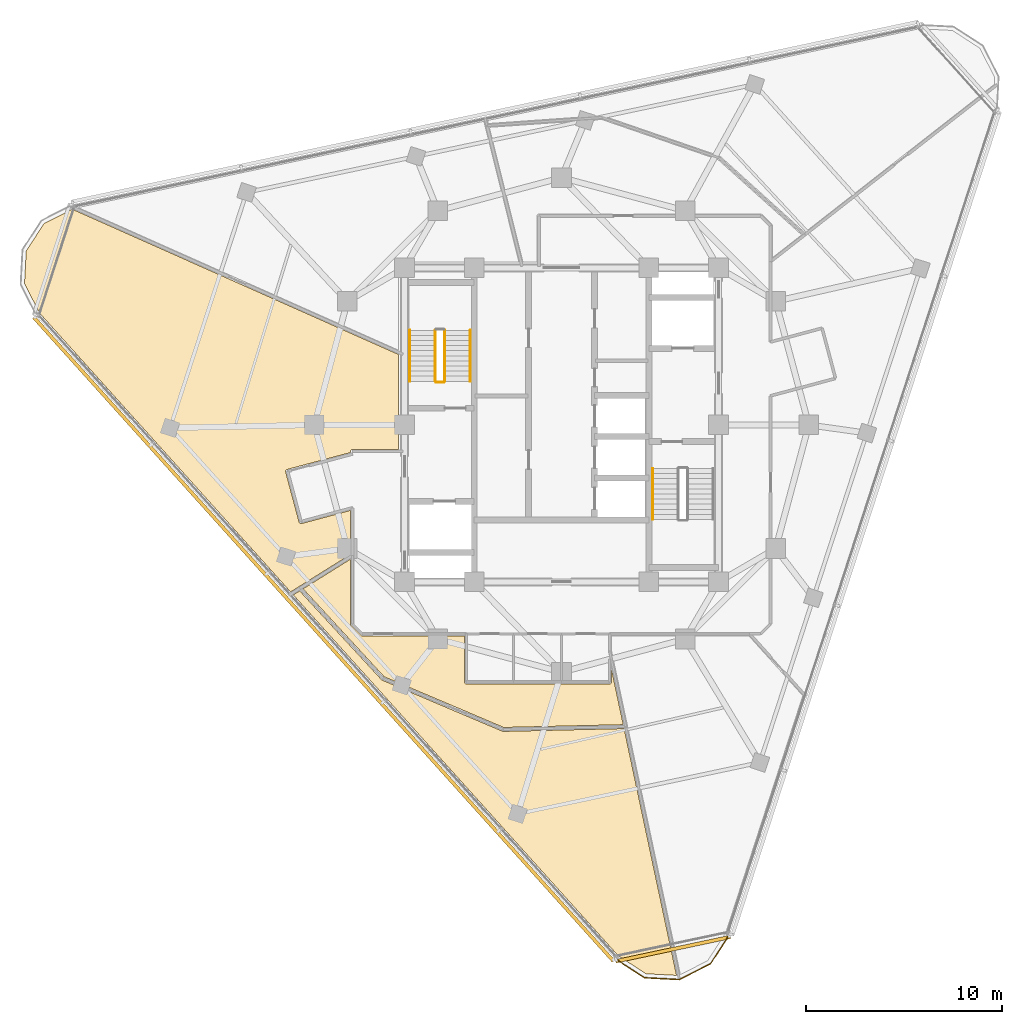
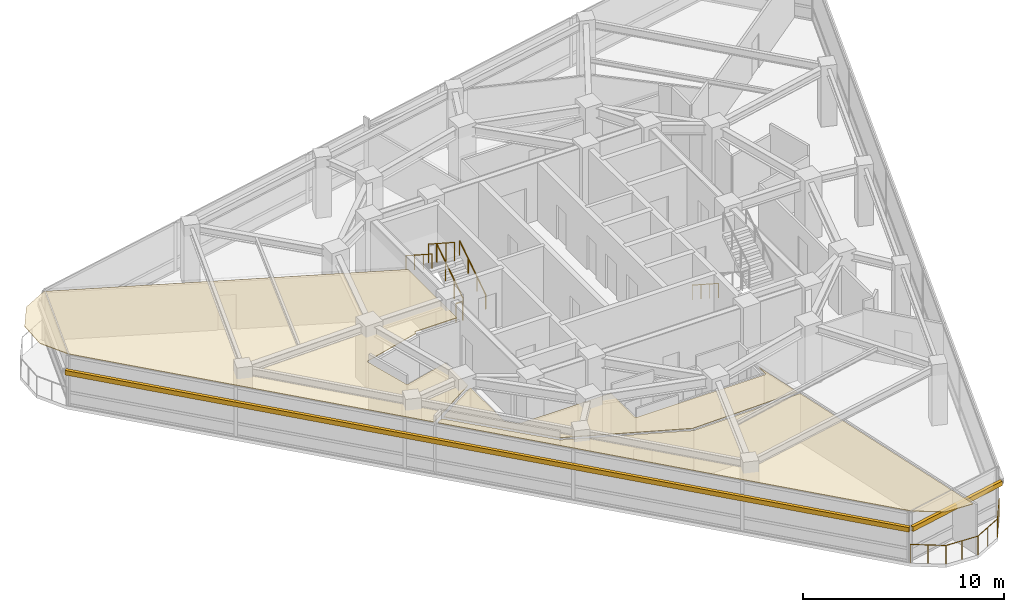
# One storey, part 12 of 15: 7 railings, 3 coverings, 2 shading devices.
"""IFC4 building model written with IfcOpenShell, lengths in metres."""

import ifcopenshell
import ifcopenshell.guid

model = None  # the IFC model being written
_history = None  # IfcOwnerHistory: only IFC2X3 demands one
_inside = {}  # id of a spatial element -> (the spatial element, [elements in it])
_under = {}  # id of a project, library or spatial element -> (it, [spatial elements below it])
_declared = {}  # id of a project -> (the project, [libraries it declares])
_typed = {}  # id of a type object -> (the type object, [elements of that type])
_made_of = {}  # id of a material, layer set ... -> (it, [elements and type objects made of it])


def new_model(schema):
    """Start an empty IFC model of exactly this schema.

    Asked for "IFC4X3", IfcOpenShell would pick the latest addendum, in which some entities
    have other attributes; the version numbers below select the first issue.
    IFC2X3 requires an IfcOwnerHistory on every rooted entity: one is made here for all.
    """
    global model, _history
    if schema == "IFC4X3":
        model = ifcopenshell.file(schema_version=(4, 3, 0, 0))
    else:
        model = ifcopenshell.file(schema=schema)
    _inside.clear()
    _under.clear()
    _declared.clear()
    _typed.clear()
    _made_of.clear()
    _history = None
    if model.schema == "IFC2X3":
        org = make("IfcOrganization", Name="unknown")
        user = make(
            "IfcPersonAndOrganization",
            ThePerson=make("IfcPerson", FamilyName="unknown"),
            TheOrganization=org,
        )
        app = make(
            "IfcApplication",
            ApplicationDeveloper=org,
            Version="unknown",
            ApplicationFullName="unknown",
            ApplicationIdentifier="unknown",
        )
        _history = make(
            "IfcOwnerHistory",
            OwningUser=user,
            OwningApplication=app,
            ChangeAction="ADDED",
            CreationDate=0,
        )
    return model


def make(cls, **values):
    """One entity of the class cls with the attributes given. An attribute that is None is left unset."""
    return model.create_entity(
        cls, **{name: value for name, value in values.items() if value is not None}
    )


def rooted(cls, **values):
    """An entity with a GlobalId (a new one), such as an element, a storey or a relation."""
    return make(cls, GlobalId=ifcopenshell.guid.new(), OwnerHistory=_history, **values)


def si_unit(unit_type, name, prefix=None):
    """IfcSIUnit, for example si_unit("LENGTHUNIT", "METRE", prefix="MILLI")."""
    return make("IfcSIUnit", UnitType=unit_type, Prefix=prefix, Name=name)


def assignment(units):
    """IfcUnitAssignment: the units of a project."""
    return None if units is None else make("IfcUnitAssignment", Units=units)


def point(xyz):
    """IfcCartesianPoint."""
    return None if xyz is None else make("IfcCartesianPoint", Coordinates=xyz)


def direction(xyz):
    """IfcDirection."""
    return None if xyz is None else make("IfcDirection", DirectionRatios=xyz)


def frame(location, z_axis=None, x_axis=None):
    """IfcAxis2Placement3D, a coordinate frame: its origin and axes. An axis left out is left unset."""
    return make(
        "IfcAxis2Placement3D",
        Location=point(location),
        Axis=direction(z_axis),
        RefDirection=direction(x_axis),
    )


def frame_2d(location, x_axis=None):
    """IfcAxis2Placement2D, a coordinate frame in the plane: its origin and x axis."""
    return make(
        "IfcAxis2Placement2D", Location=point(location), RefDirection=direction(x_axis)
    )


def origin():
    """The frame at (0, 0, 0) with its axes left unset."""
    return frame((0.0, 0.0, 0.0))


def origin_2d():
    """The frame at (0, 0) in the plane with its x axis left unset."""
    return frame_2d((0.0, 0.0))


def place(relative_to, where):
    """IfcLocalPlacement: puts the frame where relative to a parent placement (None: the world)."""
    return make(
        "IfcLocalPlacement", PlacementRelTo=relative_to, RelativePlacement=where
    )


def context(
    kind, dimensions, precision=None, world=None, true_north=None, identifier=None
):
    """IfcGeometricRepresentationContext, for example the 3D "Model" context."""
    return make(
        "IfcGeometricRepresentationContext",
        ContextIdentifier=identifier,
        ContextType=kind,
        CoordinateSpaceDimension=dimensions,
        Precision=precision,
        WorldCoordinateSystem=world,
        TrueNorth=true_north,
    )


def subcontext(parent, identifier, kind, view, scale=None):
    """IfcGeometricRepresentationSubContext, for example "Body" below "Model"."""
    return make(
        "IfcGeometricRepresentationSubContext",
        ContextIdentifier=identifier,
        ContextType=kind,
        ParentContext=parent,
        TargetScale=scale,
        TargetView=view,
    )


def project(units=None, contexts=None):
    """IfcProject with its units and contexts."""
    return rooted(
        "IfcProject",
        Name="project",
        RepresentationContexts=contexts,
        UnitsInContext=assignment(units),
    )


def spatial(cls, under=None, at=None, **own):
    """A site, building, storey or space (cls), placed at a placement, below another one or the project."""
    s = rooted(cls, ObjectPlacement=at, **own)
    if under is not None:
        _under.setdefault(under.id(), (under, []))[1].append(s)
    return s


def polyline(points):
    """IfcPolyline through the points."""
    return make("IfcPolyline", Points=[point(p) for p in points])


def profile(cls, at=None, kind="AREA", **sizes):
    """A parametric profile (cls). Its sizes go by their IFC names, for example OverallWidth=200.0."""
    return make(cls, ProfileType=kind, Position=at, **sizes)


def rectangle(**sizes):
    """IfcRectangleProfileDef."""
    return profile("IfcRectangleProfileDef", **sizes)


def circle(**sizes):
    """IfcCircleProfileDef."""
    return profile("IfcCircleProfileDef", **sizes)


def outline(outer, holes=None, kind="AREA"):
    """IfcArbitraryClosedProfileDef: a profile drawn as a closed curve; with holes, ...WithVoids."""
    if holes is None:
        return make("IfcArbitraryClosedProfileDef", ProfileType=kind, OuterCurve=outer)
    return make(
        "IfcArbitraryProfileDefWithVoids",
        ProfileType=kind,
        OuterCurve=outer,
        InnerCurves=holes,
    )


def extrude(swept, where, along, depth):
    """IfcExtrudedAreaSolid: the profile swept, set in the frame where, extruded along a direction by depth."""
    return make(
        "IfcExtrudedAreaSolid",
        SweptArea=swept,
        Position=where,
        ExtrudedDirection=direction(along),
        Depth=depth,
    )


def shape(context_of_items, identifier, shape_type, items):
    """IfcShapeRepresentation: the items that make up one representation, for example the "Body"."""
    return make(
        "IfcShapeRepresentation",
        ContextOfItems=context_of_items,
        RepresentationIdentifier=identifier,
        RepresentationType=shape_type,
        Items=items,
    )


def material(Name=None, Category=None):
    """IfcMaterial."""
    return make("IfcMaterial", Name=Name, Category=Category)


def layer(
    of_material, thickness, ventilated=None, Name=None, Category=None, Priority=None
):
    """IfcMaterialLayer: one layer of a wall or slab, of a material (None: an air gap)."""
    return make(
        "IfcMaterialLayer",
        Material=of_material,
        LayerThickness=thickness,
        IsVentilated=ventilated,
        Name=Name,
        Category=Category,
        Priority=Priority,
    )


def layer_set(layers, Name=None):
    """IfcMaterialLayerSet."""
    return make("IfcMaterialLayerSet", MaterialLayers=layers, LayerSetName=Name)


def made_of(thing, what):
    """Note that an element or type object is made of a material, layer set ...; save() writes the relation."""
    if what is not None:
        _made_of.setdefault(what.id(), (what, []))[1].append(thing)
    return thing


def type_object(cls, material=None, **own):
    """A type object (cls), such as IfcWallType, which elements share."""
    return made_of(rooted(cls, **own), material)


def element(
    cls,
    number,
    at=None,
    inside=None,
    cuts=None,
    type_object=None,
    material=None,
    context=None,
    identifier="Body",
    shape_type=None,
    held_by="IfcProductDefinitionShape",
    body=None,
    shapes=None,
    **own,
):
    """One element of the class cls, such as IfcWall. Its Tag is "e" and its number.

    at: its placement. inside: the storey or other place that contains it. cuts: it is an
    opening in that element (IfcRelVoidsElement). A single representation is given by context,
    identifier, shape_type and body (its items); several are given by shapes. held_by: the class
    of the entity that holds the representations. save() writes the other relations.
    """
    e = rooted(cls, Tag="e%d" % number, ObjectPlacement=at, **own)
    if body is not None:
        shapes = [shape(context, identifier, shape_type, body)]
    if shapes is not None:
        e.Representation = make(held_by, Representations=shapes)
    if inside is not None:
        _inside.setdefault(inside.id(), (inside, []))[1].append(e)
    if cuts is not None:
        rooted(
            "IfcRelVoidsElement", RelatingBuildingElement=cuts, RelatedOpeningElement=e
        )
    if type_object is not None:
        _typed.setdefault(type_object.id(), (type_object, []))[1].append(e)
    return made_of(e, material)


def aggregate(whole, parts):
    """IfcRelAggregates: a whole, such as a stair, and the parts it consists of."""
    return rooted("IfcRelAggregates", RelatingObject=whole, RelatedObjects=parts)


def save(model, path):
    """Write the relations noted so far, then the file.

    IfcRelAggregates (storeys below a building ...), IfcRelContainedInSpatialStructure (elements
    in a storey), IfcRelDefinesByType, IfcRelAssociatesMaterial and IfcRelDeclares: one each for
    every whole, place, type object, material and project.
    """
    for whole, parts in _under.values():
        aggregate(whole, parts)
    for where, things in _inside.values():
        rooted(
            "IfcRelContainedInSpatialStructure",
            RelatedElements=things,
            RelatingStructure=where,
        )
    for kind, things in _typed.values():
        rooted("IfcRelDefinesByType", RelatedObjects=things, RelatingType=kind)
    for what, things in _made_of.values():
        rooted("IfcRelAssociatesMaterial", RelatedObjects=things, RelatingMaterial=what)
    for by, libraries in _declared.values():
        rooted("IfcRelDeclares", RelatingContext=by, RelatedDefinitions=libraries)
    model.write(path)


model = new_model("IFC4")

# Units and contexts
model_context = context("Model", 3, precision=1e-05, world=origin(), true_north=direction((0.0, 1.0)))
body_context = subcontext(model_context, "Body", "Model", "MODEL_VIEW")
ifc_project = project(units=[si_unit("LENGTHUNIT", "METRE"), si_unit("AREAUNIT", "SQUARE_METRE"), si_unit("VOLUMEUNIT", "CUBIC_METRE"), si_unit("PLANEANGLEUNIT", "RADIAN"), si_unit("MASSUNIT", "GRAM", prefix="KILO")], contexts=[model_context])

# Site, building, storey
site_placement = place(None, origin())
site = spatial("IfcSite", under=ifc_project, at=site_placement, CompositionType="ELEMENT")
building_placement = place(site_placement, origin())
building = spatial("IfcBuilding", under=site, at=building_placement, Name="Terralouvre Media Tower", CompositionType="ELEMENT")
storey_placement = place(building_placement, frame((0.0, 0.0, 283.199951171875)))
storey = spatial("IfcBuildingStorey", under=building, at=storey_placement, Name="L73", CompositionType="ELEMENT", Elevation=283.199951171875)

# Coverings
ifc_material_1 = material(Name="Perforated aluminium acoustic ceiling baffle", Category="aluminium")
ifc_layer_1 = layer(ifc_material_1, 0.0400390625, Name="Perforated Acoustic Metal Tile Ceiling CL-AC1")
ifc_layer_set_1 = layer_set([ifc_layer_1], Name="Perforated aluminium acoustic ceiling baffle")
covering_type = type_object("IfcCoveringType", Name="Perforated Acoustic Metal Tile Ceiling CL-AC1", PredefinedType="CEILING", material=ifc_layer_set_1)
covering_1_placement = place(storey_placement, frame((0.0, 0.0, 2.97998046875), z_axis=(0.0, 0.0, 1.0), x_axis=(0.309016994375, 0.951056516295, 0.0)))
element("IfcCovering", 1, at=covering_1_placement, inside=storey, type_object=covering_type, Name="L73 Admissions Reception 1 Acoustic Ceiling", PredefinedType="CEILING", context=body_context, shape_type="SweptSolid", body=[
    extrude(outline(polyline([(-11.97607421875, 10.179443359375), (-9.5986328125, 8.1845703125), (-7.464111328125, 8.8779296875), (-8.87451171875, 11.049560546875), (-8.87939453125, 11.05810546875), (-8.883544921875, 11.06689453125), (-8.88671875, 11.076416015625), (-8.888916015625, 11.0859375), (-8.89013671875, 11.095458984375), (-8.890625, 11.10546875), (-8.889892578125, 11.115234375), (-8.888427734375, 11.124755859375), (-8.885986328125, 11.13427734375), (-8.882568359375, 11.1435546875), (-8.878173828125, 11.15234375), (-8.873046875, 11.16064453125), (-8.866943359375, 11.16845703125), (-8.8603515625, 11.17578125), (-8.85302734375, 11.18212890625), (-8.844970703125, 11.18798828125), (-6.621826171875, 12.63037109375), (-6.613525390625, 12.635498046875), (-6.6044921875, 12.639404296875), (-6.59521484375, 12.642578125), (-6.585693359375, 12.644775390625), (-6.576171875, 12.646240234375), (-6.566162109375, 12.646484375), (-6.556396484375, 12.64599609375), (-6.546875, 12.644287109375), (-6.537109375, 12.641845703125), (-6.528076171875, 12.638427734375), (-6.519287109375, 12.634033203125), (-6.510986328125, 12.62890625), (-6.503173828125, 12.623046875), (-6.495849609375, 12.616455078125), (-6.489501953125, 12.60888671875), (-6.483642578125, 12.60107421875), (-4.658447265625, 9.78955078125), (-4.60595703125, 9.806640625), (-4.596435546875, 9.809326171875), (-4.586669921875, 9.810791015625), (-4.576904296875, 9.8115234375), (-4.567138671875, 9.811279296875), (-4.557373046875, 9.81005859375), (-4.5478515625, 9.807861328125), (-4.53857421875, 9.8046875), (-4.529541015625, 9.80078125), (-4.52099609375, 9.795654296875), (-4.51318359375, 9.7900390625), (-4.505615234375, 9.78369140625), (-4.4990234375, 9.776611328125), (-4.492919921875, 9.768798828125), (-4.48779296875, 9.760498046875), (-4.4833984375, 9.751708984375), (-4.479736328125, 9.742431640625), (-3.7568359375, 7.51708984375), (0.846435546875, 9.0126953125), (2.7490234375, 27.111572265625), (1.6064453125, 28.255126953125), (0.0, 28.684326171875), (-1.606201171875, 28.254150390625), (-2.803466796875, 27.057861328125), (-12.361328125, 10.5029296875), (-11.97607421875, 10.179443359375)])), origin(), (0.0, 0.0, 1.0), 0.0400390625),
])
covering_2_placement = place(storey_placement, frame((0.0, 0.0, 2.97998046875), z_axis=(0.0, 0.0, 1.0), x_axis=(0.309016994375, 0.951056516295, 0.0)))
element("IfcCovering", 2, at=covering_2_placement, inside=storey, type_object=covering_type, Name="L73 Journalism Training Classroom 3 Acoustic Ceiling", PredefinedType="CEILING", context=body_context, shape_type="SweptSolid", body=[
    extrude(outline(polyline([(-14.998291015625, 4.633056640625), (-15.57470703125, -1.9580078125), (-13.55615234375, -7.711669921875), (-11.078369140625, -6.28076171875), (-11.6708984375, -6.473388671875), (-11.680419921875, -6.475830078125), (-11.68994140625, -6.4775390625), (-11.69970703125, -6.478271484375), (-11.709716796875, -6.47802734375), (-11.71923828125, -6.4765625), (-11.72900390625, -6.474365234375), (-11.738037109375, -6.471435546875), (-11.7470703125, -6.46728515625), (-11.755615234375, -6.46240234375), (-11.763671875, -6.456787109375), (-11.77099609375, -6.4501953125), (-11.77783203125, -6.443115234375), (-11.78369140625, -6.435302734375), (-11.7890625, -6.427001953125), (-11.79345703125, -6.418212890625), (-11.796875, -6.4091796875), (-14.052734375, 0.53369140625), (-14.05517578125, 0.54296875), (-14.056884765625, 0.552734375), (-14.0576171875, 0.5625), (-14.057373046875, 0.572265625), (-14.055908203125, 0.58203125), (-14.0537109375, 0.591796875), (-14.05078125, 0.600830078125), (-14.046630859375, 0.60986328125), (-14.041748046875, 0.618408203125), (-14.0361328125, 0.62646484375), (-14.029541015625, 0.6337890625), (-14.0224609375, 0.640625), (-14.0146484375, 0.646484375), (-14.00634765625, 0.65185546875), (-13.99755859375, 0.656005859375), (-13.988525390625, 0.65966796875), (-11.75341796875, 1.3857421875), (-13.3603515625, 6.331298828125), (-13.363037109375, 6.3408203125), (-13.364501953125, 6.350341796875), (-13.365234375, 6.360107421875), (-13.364990234375, 6.3701171875), (-13.36376953125, 6.379638671875), (-13.361572265625, 6.389404296875), (-13.3583984375, 6.398681640625), (-13.354248046875, 6.407470703125), (-13.033447265625, 7.03759765625), (-13.0283203125, 7.046142578125), (-13.022705078125, 7.05419921875), (-13.016357421875, 7.0615234375), (-13.00927734375, 7.068359375), (-13.00146484375, 7.07421875), (-12.9931640625, 7.07958984375), (-12.984375, 7.083740234375), (-12.97509765625, 7.08740234375), (-9.82275390625, 8.111572265625), (-12.01220703125, 9.94873046875), (-14.998291015625, 4.633056640625)])), origin(), (0.0, 0.0, 1.0), 0.0400390625),
])
covering_3_placement = place(storey_placement, frame((0.0, 0.0, 2.97998046875), z_axis=(0.0, 0.0, 1.0), x_axis=(0.309016994375, 0.951056516295, 0.0)))
element("IfcCovering", 3, at=covering_3_placement, inside=storey, type_object=covering_type, Name="L73 Broadcast Ethics Seminar Room 4 Acoustic Ceiling", PredefinedType="CEILING", context=body_context, shape_type="SweptSolid", body=[
    extrude(outline(polyline([(-15.770751953125, -2.003662109375), (-15.773681640625, -1.99365234375), (-15.775390625, -1.983154296875), (-15.7763671875, -1.97265625), (-15.77587890625, -1.9619140625), (-15.195556640625, 4.672119140625), (-15.194091796875, 4.6826171875), (-15.19140625, 4.69287109375), (-15.187744140625, 4.702880859375), (-15.18310546875, 4.71240234375), (-12.16796875, 10.07958984375), (-12.462890625, 10.3271484375), (-24.83447265625, -11.10107421875), (-25.272705078125, -12.736083984375), (-24.86865234375, -14.241943359375), (-13.732421875, -7.8134765625), (-15.770751953125, -2.003662109375)])), origin(), (0.0, 0.0, 1.0), 0.0400390625),
])

# Railings
ifc_material_2 = material(Name="Stainless steel 316 handrail and balustrade", Category="steel")
ifc_layer_2 = layer(ifc_material_2, 0.06005859375, Name="Roof Edge Safety Guardrail GR-ROOF1")
ifc_layer_set_2 = layer_set([ifc_layer_2], Name="Stainless steel 316 handrail and balustrade")
railing_type_1 = type_object("IfcRailingType", Name="Roof Edge Safety Guardrail GR-ROOF1", PredefinedType="GUARDRAIL", material=ifc_layer_set_2)
railing_1_placement = place(storey_placement, frame((2.738037109375, -27.202880859375, 0.0)))
element("IfcRailing", 4, at=railing_1_placement, inside=storey, type_object=railing_type_1, Name="L73 Wind-Corner Perimeter Safety Guardrail C0", PredefinedType="GUARDRAIL", context=body_context, shape_type="SweptSolid", body=[
    extrude(circle(Radius=0.02099609375, at=origin_2d()), frame((0.0, 0.0, 1.12890625), z_axis=(0.838512544294, -0.544882292849, 0.0), x_axis=(0.544882292849, 0.838512544294, 0.0)), (0.0, 0.0, 1.0), 1.780029296875),
    extrude(circle(Radius=0.02099609375, at=origin_2d()), frame((1.49267578125, -0.969970703125, 1.12890625), z_axis=(0.998626153307, -0.052400438264, 0.0), x_axis=(0.052400438264, 0.998626153307, 0.0)), (0.0, 0.0, 1.0), 1.77978515625),
    extrude(circle(Radius=0.02099609375, at=origin_2d()), frame((3.27001953125, -1.063232421875, 1.12890625), z_axis=(0.890999717441, 0.454003858487, 0.0), x_axis=(-0.454003858487, 0.890999717441, 0.0)), (0.0, 0.0, 1.0), 1.780029296875),
    extrude(circle(Radius=0.02099609375, at=origin_2d()), frame((4.85595703125, -0.255126953125, 1.12890625), z_axis=(0.544371122697, 0.838844491413, 0.0), x_axis=(-0.838844491413, 0.544371122697, 0.0)), (0.0, 0.0, 1.0), 1.780029296875),
    extrude(circle(Radius=0.01904296875, at=origin_2d()), origin(), (0.0, 0.0, 1.0), 1.10791015625),
    extrude(circle(Radius=0.01904296875, at=origin_2d()), frame((0.746337890625, -0.48486328125, 0.0)), (0.0, 0.0, 1.0), 1.10791015625),
    extrude(circle(Radius=0.01904296875, at=origin_2d()), frame((1.49267578125, -0.969970703125, 0.0)), (0.0, 0.0, 1.0), 1.10791015625),
    extrude(circle(Radius=0.01904296875, at=origin_2d()), frame((2.38134765625, -1.0166015625, 0.0)), (0.0, 0.0, 1.0), 1.10791015625),
    extrude(circle(Radius=0.01904296875, at=origin_2d()), frame((3.27001953125, -1.063232421875, 0.0)), (0.0, 0.0, 1.0), 1.10791015625),
    extrude(circle(Radius=0.01904296875, at=origin_2d()), frame((4.06298828125, -0.6591796875, 0.0)), (0.0, 0.0, 1.0), 1.10791015625),
    extrude(circle(Radius=0.01904296875, at=origin_2d()), frame((4.85595703125, -0.255126953125, 0.0)), (0.0, 0.0, 1.0), 1.10791015625),
    extrude(circle(Radius=0.01904296875, at=origin_2d()), frame((5.34033203125, 0.491455078125, 0.0)), (0.0, 0.0, 1.0), 1.10791015625),
    extrude(circle(Radius=0.01904296875, at=origin_2d()), frame((5.824951171875, 1.238037109375, 0.0)), (0.0, 0.0, 1.0), 1.10791015625),
])
ifc_material_3 = material(Name="Stainless steel 316 handrail and balustrade", Category="steel")
ifc_layer_3 = layer(ifc_material_3, 0.050048828125, Name="Stair Flight Wall Handrail HR-INT1")
ifc_layer_set_3 = layer_set([ifc_layer_3], Name="Stainless steel 316 handrail and balustrade")
railing_type_2 = type_object("IfcRailingType", Name="Stair Flight Wall Handrail HR-INT1", PredefinedType="HANDRAIL", material=ifc_layer_set_3)
railing_2_placement = place(storey_placement, frame((-4.64990234375, 2.219970703125, 0.168212890625)))
element("IfcRailing", 5, at=railing_2_placement, inside=storey, type_object=railing_type_2, Name="L73 ST-01 stair handrail 1", PredefinedType="HANDRAIL", context=body_context, shape_type="SweptSolid", body=[
    extrude(circle(Radius=0.02392578125, at=origin_2d()), frame((0.0, 0.0, 0.8759765625), z_axis=(0.0, 0.839648411786, 0.543130320075), x_axis=(-1.0, 0.0, 0.0)), (0.0, 0.0, 1.0), 3.0966796875),
    extrude(circle(Radius=0.02099609375, at=origin_2d()), origin(), (0.0, 0.0, 1.0), 0.851806640625),
    extrude(circle(Radius=0.02099609375, at=origin_2d()), frame((0.0, 0.86669921875, 0.560546875)), (0.0, 0.0, 1.0), 0.851806640625),
    extrude(circle(Radius=0.02099609375, at=origin_2d()), frame((0.0, 1.7333984375, 1.121337890625)), (0.0, 0.0, 1.0), 0.851806640625),
    extrude(circle(Radius=0.02099609375, at=origin_2d()), frame((0.0, 2.60009765625, 1.681884765625)), (0.0, 0.0, 1.0), 0.851806640625),
])
railing_3_placement = place(storey_placement, frame((-7.72998046875, 4.820068359375, 2.018310546875)))
element("IfcRailing", 6, at=railing_3_placement, inside=storey, type_object=railing_type_2, Name="L73 ST-01 stair handrail 2", PredefinedType="HANDRAIL", context=body_context, shape_type="SweptSolid", body=[
    extrude(circle(Radius=0.02392578125, at=origin_2d()), frame((0.0, 0.0, 0.8759765625), z_axis=(0.0, -0.839684365666, 0.543074733399), x_axis=(1.0, 0.0, 0.0)), (0.0, 0.0, 1.0), 3.096435546875),
    extrude(circle(Radius=0.02099609375, at=origin_2d()), origin(), (0.0, 0.0, 1.0), 0.851806640625),
    extrude(circle(Radius=0.02099609375, at=origin_2d()), frame((0.0, -0.86669921875, 0.560546875)), (0.0, 0.0, 1.0), 0.851806640625),
    extrude(circle(Radius=0.02099609375, at=origin_2d()), frame((0.0, -1.7333984375, 1.12109375)), (0.0, 0.0, 1.0), 0.851806640625),
    extrude(circle(Radius=0.02099609375, at=origin_2d()), frame((0.0, -2.60009765625, 1.681640625)), (0.0, 0.0, 1.0), 0.851806640625),
])
railing_4_placement = place(storey_placement, frame((4.64990234375, -2.219970703125, 0.168212890625)))
element("IfcRailing", 7, at=railing_4_placement, inside=storey, type_object=railing_type_2, Name="L73 ST-02 stair handrail 1", PredefinedType="HANDRAIL", context=body_context, shape_type="SweptSolid", body=[
    extrude(circle(Radius=0.02392578125, at=origin_2d()), frame((0.0, 0.0, 0.8759765625), z_axis=(0.0, -0.839648411786, 0.543130320075), x_axis=(1.0, 0.0, 0.0)), (0.0, 0.0, 1.0), 3.0966796875),
    extrude(circle(Radius=0.02099609375, at=origin_2d()), origin(), (0.0, 0.0, 1.0), 0.851806640625),
    extrude(circle(Radius=0.02099609375, at=origin_2d()), frame((0.0, -0.86669921875, 0.560546875)), (0.0, 0.0, 1.0), 0.851806640625),
    extrude(circle(Radius=0.02099609375, at=origin_2d()), frame((0.0, -1.7333984375, 1.121337890625)), (0.0, 0.0, 1.0), 0.851806640625),
    extrude(circle(Radius=0.02099609375, at=origin_2d()), frame((0.0, -2.60009765625, 1.681884765625)), (0.0, 0.0, 1.0), 0.851806640625),
])
ifc_material_4 = material(Name="Stainless steel 316 handrail and balustrade", Category="steel")
ifc_layer_4 = layer(ifc_material_4, 0.050048828125, Name="Stairwell Safety Guardrail GR-INT1")
ifc_layer_set_4 = layer_set([ifc_layer_4], Name="Stainless steel 316 handrail and balustrade")
railing_type_3 = type_object("IfcRailingType", Name="Stairwell Safety Guardrail GR-INT1", PredefinedType="GUARDRAIL", material=ifc_layer_set_4)
railing_5_placement = place(storey_placement, frame((-5.949951171875, 2.219970703125, 0.168212890625)))
element("IfcRailing", 8, at=railing_5_placement, inside=storey, type_object=railing_type_3, Name="L73 ST-01 stair guard 1", PredefinedType="GUARDRAIL", context=body_context, shape_type="SweptSolid", body=[
    extrude(circle(Radius=0.02392578125, at=origin_2d()), frame((0.0, 0.0, 1.1259765625), z_axis=(0.0, 0.839648411786, 0.543130320075), x_axis=(-1.0, 0.0, 0.0)), (0.0, 0.0, 1.0), 3.0966796875),
    extrude(circle(Radius=0.02099609375, at=origin_2d()), origin(), (0.0, 0.0, 1.0), 1.101806640625),
    extrude(circle(Radius=0.02099609375, at=origin_2d()), frame((0.0, 0.86669921875, 0.560546875)), (0.0, 0.0, 1.0), 1.101806640625),
    extrude(circle(Radius=0.02099609375, at=origin_2d()), frame((0.0, 1.7333984375, 1.121337890625)), (0.0, 0.0, 1.0), 1.101806640625),
    extrude(circle(Radius=0.02099609375, at=origin_2d()), frame((0.0, 2.60009765625, 1.681884765625)), (0.0, 0.0, 1.0), 1.101806640625),
])
railing_6_placement = place(storey_placement, frame((-6.429931640625, 4.820068359375, 2.018310546875)))
element("IfcRailing", 9, at=railing_6_placement, inside=storey, type_object=railing_type_3, Name="L73 ST-01 stair guard 3", PredefinedType="GUARDRAIL", context=body_context, shape_type="SweptSolid", body=[
    extrude(circle(Radius=0.02392578125, at=origin_2d()), frame((0.0, 0.0, 1.1259765625), z_axis=(0.0, -0.839684365666, 0.543074733399), x_axis=(1.0, 0.0, 0.0)), (0.0, 0.0, 1.0), 3.096435546875),
    extrude(circle(Radius=0.02099609375, at=origin_2d()), origin(), (0.0, 0.0, 1.0), 1.101806640625),
    extrude(circle(Radius=0.02099609375, at=origin_2d()), frame((0.0, -0.86669921875, 0.560546875)), (0.0, 0.0, 1.0), 1.101806640625),
    extrude(circle(Radius=0.02099609375, at=origin_2d()), frame((0.0, -1.7333984375, 1.12109375)), (0.0, 0.0, 1.0), 1.101806640625),
    extrude(circle(Radius=0.02099609375, at=origin_2d()), frame((0.0, -2.60009765625, 1.681640625)), (0.0, 0.0, 1.0), 1.101806640625),
])
railing_7_placement = place(storey_placement, frame((-6.0, 2.169921875, 0.0)))
element("IfcRailing", 10, at=railing_7_placement, inside=storey, type_object=railing_type_3, Name="L73 ST-01 stair guard 4", PredefinedType="GUARDRAIL", context=body_context, shape_type="SweptSolid", body=[
    extrude(circle(Radius=0.02392578125, at=origin_2d()), frame((0.0, 0.0, 1.1259765625), z_axis=(-1.0, 0.0, 0.0), x_axis=(0.0, -1.0, 0.0)), (0.0, 0.0, 1.0), 0.3798828125),
    extrude(circle(Radius=0.02099609375, at=origin_2d()), origin(), (0.0, 0.0, 1.0), 1.101806640625),
    extrude(circle(Radius=0.02099609375, at=origin_2d()), frame((-0.3798828125, 0.0, 0.0)), (0.0, 0.0, 1.0), 1.101806640625),
])

# Shading devices
ifc_material_5 = material(Name="Extruded terracotta baguette sunshade louvres", Category="masonry")
shading_device_type = type_object("IfcShadingDeviceType", Name="Terracotta Baguette Sunshade Louvre Screen TB-LV1", PredefinedType="USERDEFINED", material=ifc_material_5)
shading_device_1_placement = place(storey_placement, frame((-12.12548828125, -10.917724609375, 2.02392578125), z_axis=(0.0, 0.0, 1.0), x_axis=(0.669130573531, -0.743144855036, 0.0)))
element("IfcShadingDevice", 11, at=shading_device_1_placement, inside=storey, type_object=shading_device_type, Name="CW-L73-F2 Terracotta Baguette Sunshade Louvre", ObjectType="BAGUETTE", PredefinedType="USERDEFINED", context=body_context, shape_type="SweptSolid", body=[
    extrude(rectangle(XDim=44.1201171875, YDim=0.179931640625, at=origin_2d()), origin(), (0.0, 0.0, 1.0), 0.280029296875),
])
shading_device_2_placement = place(storey_placement, frame((5.6787109375, -26.7158203125, 2.02392578125), z_axis=(0.0, 0.0, 1.0), x_axis=(0.978147609922, 0.207911647592, 0.0)))
element("IfcShadingDevice", 12, at=shading_device_2_placement, inside=storey, type_object=shading_device_type, Name="CW-L73-C0 Terracotta Baguette Sunshade Louvre", ObjectType="BAGUETTE", PredefinedType="USERDEFINED", context=body_context, shape_type="SweptSolid", body=[
    extrude(rectangle(XDim=5.958251953125, YDim=0.179931640625, at=origin_2d()), origin(), (0.0, 0.0, 1.0), 0.280029296875),
])

save(model, "model.ifc")
